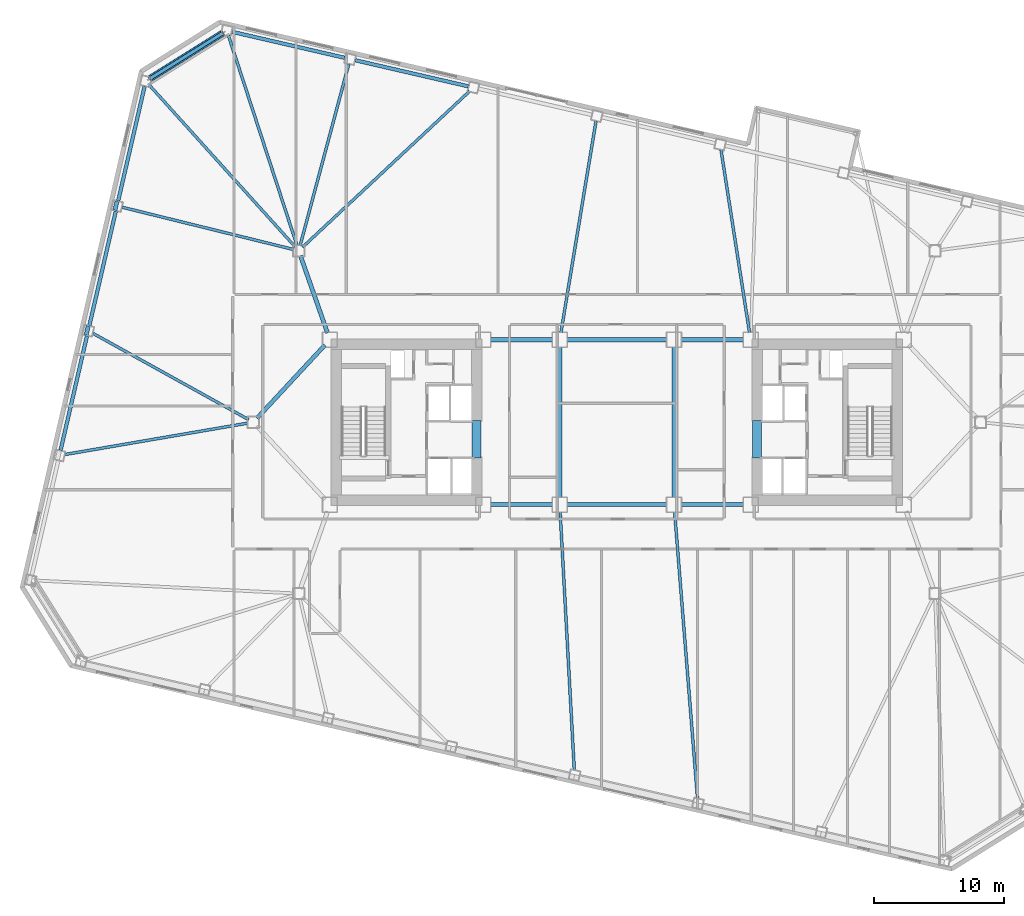
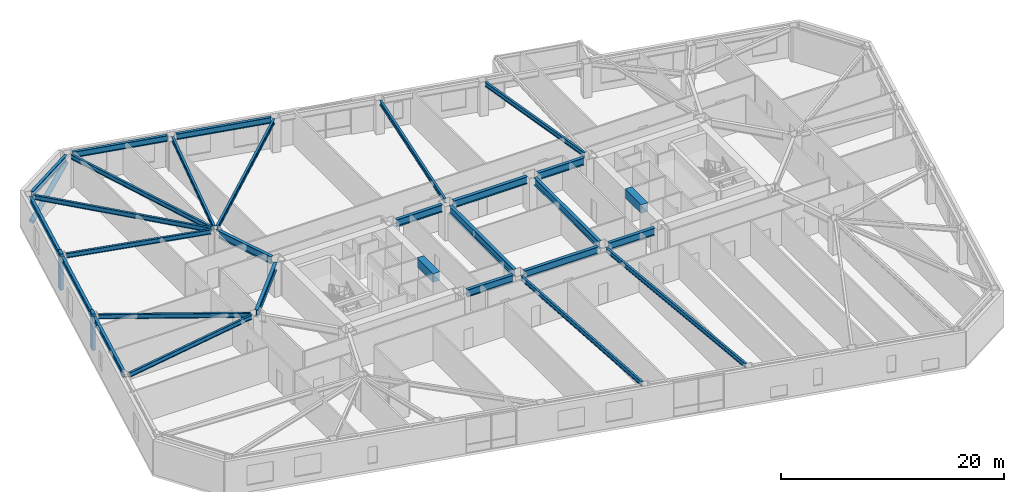
# One storey, part 7 of 21: 29 beams, 3 members.
"""IFC4 building model written with IfcOpenShell, lengths in metres."""

from ifc_helpers import new_model, si_unit, direction, frame, origin, origin_2d, place, context, subcontext, project, spatial, rectangle, hollow_circle, i_section, extrude, material, material_profile, profile_set, type_object, element, save


model = new_model("IFC4")

# Units and contexts
model_context = context("Model", 3, precision=1e-05, world=origin(), true_north=direction((0.0, 1.0)))
body_context = subcontext(model_context, "Body", "Model", "MODEL_VIEW")
ifc_project = project(units=[si_unit("LENGTHUNIT", "METRE"), si_unit("AREAUNIT", "SQUARE_METRE"), si_unit("VOLUMEUNIT", "CUBIC_METRE"), si_unit("PLANEANGLEUNIT", "RADIAN"), si_unit("MASSUNIT", "GRAM", prefix="KILO")], contexts=[model_context])

# Site, building, storey
site_placement = place(None, origin())
site = spatial("IfcSite", under=ifc_project, at=site_placement, CompositionType="ELEMENT")
building_placement = place(site_placement, origin())
building = spatial("IfcBuilding", under=site, at=building_placement, Name="Tavrogorsk Clinical Tower", CompositionType="ELEMENT")
storey_placement = place(building_placement, frame((0.0, 0.0, 71.39990234375)))
storey = spatial("IfcBuildingStorey", under=building, at=storey_placement, Name="L15", CompositionType="ELEMENT", Elevation=71.39990234375)

# Beams
ifc_material_1 = material(Name="Concrete B80", Category="concrete")
ifc_material_profile_1 = material_profile(ifc_material_1, rectangle(XDim=0.699951171875, YDim=0.949951171875, at=origin_2d()), Name="RC-CB-700x950")
ifc_profile_set_1 = profile_set([ifc_material_profile_1], Name="Concrete B80")
beam_type_1 = type_object("IfcBeamType", Name="CouplingBeam_RC700x950", PredefinedType="LINTEL", material=ifc_profile_set_1)
for number, where, z_axis, x_axis, name in (
    (1, (-10.800048828125, -2.75, 3.26513671875), (0.0, 1.0, 0.0), (-1.0, 0.0, 0.0), "L15 Core West Coupling Beam"),
    (2, (10.800048828125, -2.75, 3.26513671875), (0.0, 1.0, 0.0), (-1.0, 0.0, 0.0), "L15 Core East Coupling Beam"),
):
    element("IfcBeam", number, at=place(storey_placement, frame(where, z_axis=z_axis, x_axis=x_axis)), inside=storey, type_object=beam_type_1, Name=name, PredefinedType="LINTEL", context=body_context, shape_type="SweptSolid", body=[
        extrude(rectangle(XDim=0.699951171875, YDim=0.949951171875, at=origin_2d()), origin(), (0.0, 0.0, 1.0), 2.89990234375),
    ])

# Member
ifc_material_2 = material(Name="Structural steel S440", Category="steel")
ifc_material_profile_2 = material_profile(ifc_material_2, hollow_circle(Radius=0.25390625, WallThickness=0.02001953125, at=origin_2d()), Name="CHS-508x20")
ifc_profile_set_2 = profile_set([ifc_material_profile_2], Name="Structural steel S440")
member_type_1 = type_object("IfcMemberType", Name="ExoBrace_CHS508", PredefinedType="BRACE", material=ifc_profile_set_2)
member_placement = place(storey_placement, frame((-35.951904296875, 26.46240234375, 0.442626953125), z_axis=(0.794678685861, 0.496570017703, 0.349147538667), x_axis=(-0.529919005048, 0.848048258113, 0.0)))
element("IfcMember", 3, at=member_placement, inside=storey, type_object=member_type_1, Name="L15 Corner Exoskeleton Brace N8-W1", PredefinedType="BRACE", context=body_context, shape_type="SweptSolid", body=[
    extrude(hollow_circle(Radius=0.25390625, WallThickness=0.02001953125, at=origin_2d()), origin(), (0.0, 0.0, 1.0), 7.03173828125),
])

# Beams
ifc_material_3 = material(Name="Structural steel S355", Category="steel")
ifc_material_profile_3 = material_profile(ifc_material_3, i_section(OverallWidth=0.219970703125, OverallDepth=0.5, WebThickness=0.012939453125, FlangeThickness=0.02001953125, at=origin_2d()), Name="B-500x220x13x20")
ifc_profile_set_3 = profile_set([ifc_material_profile_3], Name="Structural steel S355")
beam_type_2 = type_object("IfcBeamType", Name="FloorBeam_B500", PredefinedType="BEAM", material=ifc_profile_set_3)
beam_1_placement = place(storey_placement, frame((-4.369384765625, -6.9091796875, 3.489990234375), z_axis=(0.054826938013, -0.998495872234, 0.0), x_axis=(0.998495872234, 0.054826938013, 0.0)))
element("IfcBeam", 4, at=beam_1_placement, inside=storey, type_object=beam_type_2, Name="L15 Radial Floor Beam S5", PredefinedType="BEAM", context=body_context, shape_type="SweptSolid", body=[
    extrude(i_section(OverallWidth=0.219970703125, OverallDepth=0.5, WebThickness=0.012939453125, FlangeThickness=0.02001953125, at=origin_2d()), origin(), (0.0, 0.0, 1.0), 19.891357421875),
])
beam_2_placement = place(storey_placement, frame((4.444580078125, -6.908203125, 3.489990234375), z_axis=(0.079775043579, -0.996812892384, 0.0), x_axis=(0.996812892384, 0.079775043579, 0.0)))
element("IfcBeam", 5, at=beam_2_placement, inside=storey, type_object=beam_type_2, Name="L15 Radial Floor Beam S6", PredefinedType="BEAM", context=body_context, shape_type="SweptSolid", body=[
    extrude(i_section(OverallWidth=0.219970703125, OverallDepth=0.5, WebThickness=0.012939453125, FlangeThickness=0.02001953125, at=origin_2d()), origin(), (0.0, 0.0, 1.0), 22.12646484375),
])
beam_3_placement = place(storey_placement, frame((10.213623046875, 6.9033203125, 3.489990234375), z_axis=(-0.154089917001, 0.988056829073, 0.0), x_axis=(-0.988056829073, -0.154089917001, 0.0)))
element("IfcBeam", 6, at=beam_3_placement, inside=storey, type_object=beam_type_2, Name="L15 Radial Floor Beam N4", PredefinedType="BEAM", context=body_context, shape_type="SweptSolid", body=[
    extrude(i_section(OverallWidth=0.219970703125, OverallDepth=0.5, WebThickness=0.012939453125, FlangeThickness=0.02001953125, at=origin_2d()), origin(), (0.0, 0.0, 1.0), 14.24853515625),
])
beam_4_placement = place(storey_placement, frame((-4.308349609375, 6.90234375, 3.489990234375), z_axis=(0.163563683006, 0.986532777763, 0.0), x_axis=(-0.986532777763, 0.163563683006, 0.0)))
element("IfcBeam", 7, at=beam_4_placement, inside=storey, type_object=beam_type_2, Name="L15 Radial Floor Beam N5", PredefinedType="BEAM", context=body_context, shape_type="SweptSolid", body=[
    extrude(i_section(OverallWidth=0.219970703125, OverallDepth=0.5, WebThickness=0.012939453125, FlangeThickness=0.02001953125, at=origin_2d()), origin(), (0.0, 0.0, 1.0), 16.4951171875),
])
beam_5_placement = place(storey_placement, frame((-24.200439453125, 13.47998046875, 3.489990234375), z_axis=(0.730781163302, 0.682611816015, 0.0), x_axis=(-0.682611816015, 0.730781163302, 0.0)))
element("IfcBeam", 8, at=beam_5_placement, inside=storey, type_object=beam_type_2, Name="L15 Radial Floor Beam N6", PredefinedType="BEAM", context=body_context, shape_type="SweptSolid", body=[
    extrude(i_section(OverallWidth=0.219970703125, OverallDepth=0.5, WebThickness=0.012939453125, FlangeThickness=0.02001953125, at=origin_2d()), origin(), (0.0, 0.0, 1.0), 17.597412109375),
])
beam_6_placement = place(storey_placement, frame((-24.393798828125, 13.595947265625, 3.489990234375), z_axis=(0.25900262632, 0.965876617151, 0.0), x_axis=(-0.965876617151, 0.25900262632, 0.0)))
element("IfcBeam", 9, at=beam_6_placement, inside=storey, type_object=beam_type_2, Name="L15 Radial Floor Beam N7", PredefinedType="BEAM", context=body_context, shape_type="SweptSolid", body=[
    extrude(i_section(OverallWidth=0.219970703125, OverallDepth=0.5, WebThickness=0.012939453125, FlangeThickness=0.02001953125, at=origin_2d()), origin(), (0.0, 0.0, 1.0), 14.46728515625),
])
beam_7_placement = place(storey_placement, frame((-24.62744140625, 13.58984375, 3.489990234375), z_axis=(-0.310546210819, 0.950558283824, 0.0), x_axis=(-0.950558283824, -0.310546210819, 0.0)))
element("IfcBeam", 10, at=beam_7_placement, inside=storey, type_object=beam_type_2, Name="L15 Radial Floor Beam N8", PredefinedType="BEAM", context=body_context, shape_type="SweptSolid", body=[
    extrude(i_section(OverallWidth=0.219970703125, OverallDepth=0.5, WebThickness=0.012939453125, FlangeThickness=0.02001953125, at=origin_2d()), origin(), (0.0, 0.0, 1.0), 17.0205078125),
])
beam_8_placement = place(storey_placement, frame((-24.774658203125, 13.50439453125, 3.489990234375), z_axis=(-0.669660294237, 0.742667550337, 0.0), x_axis=(-0.742667550337, -0.669660294237, 0.0)))
element("IfcBeam", 11, at=beam_8_placement, inside=storey, type_object=beam_type_2, Name="L15 Radial Floor Beam W1", PredefinedType="BEAM", context=body_context, shape_type="SweptSolid", body=[
    extrude(i_section(OverallWidth=0.219970703125, OverallDepth=0.5, WebThickness=0.012939453125, FlangeThickness=0.02001953125, at=origin_2d()), origin(), (0.0, 0.0, 1.0), 16.76708984375),
])
beam_9_placement = place(storey_placement, frame((-24.89794921875, 13.298095703125, 3.489990234375), z_axis=(-0.970889910259, 0.23952616174, 0.0), x_axis=(-0.23952616174, -0.970889910259, 0.0)))
element("IfcBeam", 12, at=beam_9_placement, inside=storey, type_object=beam_type_2, Name="L15 Radial Floor Beam W2", PredefinedType="BEAM", context=body_context, shape_type="SweptSolid", body=[
    extrude(i_section(OverallWidth=0.219970703125, OverallDepth=0.5, WebThickness=0.012939453125, FlangeThickness=0.02001953125, at=origin_2d()), origin(), (0.0, 0.0, 1.0), 13.595947265625),
])
beam_10_placement = place(storey_placement, frame((-28.358642578125, 0.19873046875, 3.489990234375), z_axis=(-0.874654711976, 0.484746464472, 0.0), x_axis=(-0.484746464472, -0.874654711976, 0.0)))
element("IfcBeam", 13, at=beam_10_placement, inside=storey, type_object=beam_type_2, Name="L15 Radial Floor Beam W3", PredefinedType="BEAM", context=body_context, shape_type="SweptSolid", body=[
    extrude(i_section(OverallWidth=0.219970703125, OverallDepth=0.5, WebThickness=0.012939453125, FlangeThickness=0.02001953125, at=origin_2d()), origin(), (0.0, 0.0, 1.0), 13.7158203125),
])
beam_11_placement = place(storey_placement, frame((-28.404052734375, -0.0693359375, 3.489990234375), z_axis=(-0.985592408786, -0.169137824698, 0.0), x_axis=(0.169137824698, -0.985592408786, 0.0)))
element("IfcBeam", 14, at=beam_11_placement, inside=storey, type_object=beam_type_2, Name="L15 Radial Floor Beam W4", PredefinedType="BEAM", context=body_context, shape_type="SweptSolid", body=[
    extrude(i_section(OverallWidth=0.219970703125, OverallDepth=0.5, WebThickness=0.012939453125, FlangeThickness=0.02001953125, at=origin_2d()), origin(), (0.0, 0.0, 1.0), 14.33056640625),
])

# Members
ifc_material_4 = material(Name="Precast concrete B45 with limestone cladding", Category="masonry")
ifc_material_profile_4 = material_profile(ifc_material_4, rectangle(XDim=0.320068359375, YDim=0.719970703125, at=origin_2d()), Name="LIMESTONE-FIN-320x720")
ifc_profile_set_4 = profile_set([ifc_material_profile_4], Name="Precast concrete B45 with limestone cladding")
member_type_2 = type_object("IfcMemberType", Name="LimestonePleatFin_320x720", PredefinedType="USERDEFINED", material=ifc_profile_set_4)
for number, where, z_axis, x_axis, name in (
    (15, (-38.572265625, 16.67041015625, 0.0), (0.0, 0.0, 1.0), (0.974370064785, -0.224951054344, 0.0), "L15 W Pleated Stone Fin 1"),
    (16, (-40.7900390625, 7.06298828125, 0.0), (0.0, 0.0, 1.0), (0.974370064785, -0.224951054344, 0.0), "L15 W Pleated Stone Fin 2"),
):
    element("IfcMember", number, at=place(storey_placement, frame(where, z_axis=z_axis, x_axis=x_axis)), inside=storey, type_object=member_type_2, Name=name, ObjectType="FIN", PredefinedType="USERDEFINED", context=body_context, shape_type="SweptSolid", body=[
        extrude(rectangle(XDim=0.320068359375, YDim=0.719970703125, at=origin_2d()), origin(), (0.0, 0.0, 1.0), 4.0),
    ])

# Beams
ifc_material_5 = material(Name="Structural steel S390", Category="steel")
ifc_material_profile_5 = material_profile(ifc_material_5, i_section(OverallWidth=0.320068359375, OverallDepth=0.800048828125, WebThickness=0.02001953125, FlangeThickness=0.033935546875, at=origin_2d()), Name="B-800x320x20x34")
ifc_profile_set_5 = profile_set([ifc_material_profile_5], Name="Structural steel S390")
beam_type_3 = type_object("IfcBeamType", Name="PrimaryGirder_B800", PredefinedType="USERDEFINED", material=ifc_profile_set_5)
for number, where, z_axis, x_axis, name in (
    (17, (-9.739990234375, -6.35009765625, 3.340087890625), (1.0, 0.0, 0.0), (0.0, 1.0, 0.0), "L15 Primary Spine Girder MG-01"),
    (18, (-9.739990234375, 6.35009765625, 3.340087890625), (1.0, 0.0, 0.0), (0.0, 1.0, 0.0), "L15 Primary Spine Girder MG-02"),
):
    element("IfcBeam", number, at=place(storey_placement, frame(where, z_axis=z_axis, x_axis=x_axis)), inside=storey, type_object=beam_type_3, Name=name, ObjectType="GIRDER", PredefinedType="USERDEFINED", context=body_context, shape_type="SweptSolid", body=[
        extrude(i_section(OverallWidth=0.320068359375, OverallDepth=0.800048828125, WebThickness=0.02001953125, FlangeThickness=0.033935546875, at=origin_2d()), origin(), (0.0, 0.0, 1.0), 4.780029296875),
    ])
for number, where, z_axis, x_axis, name in (
    (19, (-3.840087890625, -6.35009765625, 3.340087890625), (1.0, 0.0, 0.0), (0.0, 1.0, 0.0), "L15 Primary Spine Girder MG-03"),
    (20, (-3.840087890625, 6.35009765625, 3.340087890625), (1.0, 0.0, 0.0), (0.0, 1.0, 0.0), "L15 Primary Spine Girder MG-04"),
):
    element("IfcBeam", number, at=place(storey_placement, frame(where, z_axis=z_axis, x_axis=x_axis)), inside=storey, type_object=beam_type_3, Name=name, ObjectType="GIRDER", PredefinedType="USERDEFINED", context=body_context, shape_type="SweptSolid", body=[
        extrude(i_section(OverallWidth=0.320068359375, OverallDepth=0.800048828125, WebThickness=0.02001953125, FlangeThickness=0.033935546875, at=origin_2d()), origin(), (0.0, 0.0, 1.0), 7.68017578125),
    ])
for number, where, z_axis, x_axis, name in (
    (21, (4.9599609375, -6.35009765625, 3.340087890625), (1.0, 0.0, 0.0), (0.0, 1.0, 0.0), "L15 Primary Spine Girder MG-05"),
    (22, (4.9599609375, 6.35009765625, 3.340087890625), (1.0, 0.0, 0.0), (0.0, 1.0, 0.0), "L15 Primary Spine Girder MG-06"),
):
    element("IfcBeam", number, at=place(storey_placement, frame(where, z_axis=z_axis, x_axis=x_axis)), inside=storey, type_object=beam_type_3, Name=name, ObjectType="GIRDER", PredefinedType="USERDEFINED", context=body_context, shape_type="SweptSolid", body=[
        extrude(i_section(OverallWidth=0.320068359375, OverallDepth=0.800048828125, WebThickness=0.02001953125, FlangeThickness=0.033935546875, at=origin_2d()), origin(), (0.0, 0.0, 1.0), 4.780029296875),
    ])
for number, where, z_axis, x_axis, name in (
    (23, (-4.39990234375, -5.7900390625, 3.340087890625), (0.0, 1.0, 0.0), (-1.0, 0.0, 0.0), "L15 Primary Spine Girder MG-07"),
    (24, (4.39990234375, -5.7900390625, 3.340087890625), (0.0, 1.0, 0.0), (-1.0, 0.0, 0.0), "L15 Primary Spine Girder MG-08"),
):
    element("IfcBeam", number, at=place(storey_placement, frame(where, z_axis=z_axis, x_axis=x_axis)), inside=storey, type_object=beam_type_3, Name=name, ObjectType="GIRDER", PredefinedType="USERDEFINED", context=body_context, shape_type="SweptSolid", body=[
        extrude(i_section(OverallWidth=0.320068359375, OverallDepth=0.800048828125, WebThickness=0.02001953125, FlangeThickness=0.033935546875, at=origin_2d()), origin(), (0.0, 0.0, 1.0), 11.580078125),
    ])
beam_12_placement = place(storey_placement, frame((-24.364501953125, 12.81298828125, 3.340087890625), z_axis=(0.330668611543, -0.943746930771, 0.0), x_axis=(0.943746930771, 0.330668611543, 0.0)))
element("IfcBeam", 25, at=beam_12_placement, inside=storey, type_object=beam_type_3, Name="L15 Spine Link Girder OPG-3", ObjectType="GIRDER", PredefinedType="USERDEFINED", context=body_context, shape_type="SweptSolid", body=[
    extrude(i_section(OverallWidth=0.320068359375, OverallDepth=0.800048828125, WebThickness=0.02001953125, FlangeThickness=0.033935546875, at=origin_2d()), origin(), (0.0, 0.0, 1.0), 6.288330078125),
])
beam_13_placement = place(storey_placement, frame((-27.720947265625, 0.30029296875, 3.340087890625), z_axis=(0.680671250221, 0.732589004233, 0.0), x_axis=(-0.732589004233, 0.680671250221, 0.0)))
element("IfcBeam", 26, at=beam_13_placement, inside=storey, type_object=beam_type_3, Name="L15 Spine Link Girder OPG-6", ObjectType="GIRDER", PredefinedType="USERDEFINED", context=body_context, shape_type="SweptSolid", body=[
    extrude(i_section(OverallWidth=0.320068359375, OverallDepth=0.800048828125, WebThickness=0.02001953125, FlangeThickness=0.033935546875, at=origin_2d()), origin(), (0.0, 0.0, 1.0), 7.697998046875),
])
ifc_material_6 = material(Name="Structural steel S390", Category="steel")
ifc_material_profile_6 = material_profile(ifc_material_6, i_section(OverallWidth=0.280029296875, OverallDepth=0.64990234375, WebThickness=0.01611328125, FlangeThickness=0.02490234375, at=origin_2d()), Name="B-650x280x16x25")
ifc_profile_set_6 = profile_set([ifc_material_profile_6], Name="Structural steel S390")
beam_type_4 = type_object("IfcBeamType", Name="SpandrelBeam_B650", PredefinedType="SPANDREL", material=ifc_profile_set_6)
for number, where, z_axis, x_axis, name in (
    (27, (-11.43994140625, 25.862548828125, 3.4150390625), (-0.974372766602, 0.224939351168, 0.0), (-0.224939351168, -0.974372766602, 0.0), "L15 Perimeter Spandrel N6-N7"),
    (28, (-20.9384765625, 28.055419921875, 3.4150390625), (-0.974366775889, 0.224965299645, 0.0), (-0.224965299645, -0.974366775889, 0.0), "L15 Perimeter Spandrel N7-N8"),
):
    element("IfcBeam", number, at=place(storey_placement, frame(where, z_axis=z_axis, x_axis=x_axis)), inside=storey, type_object=beam_type_4, Name=name, PredefinedType="SPANDREL", context=body_context, shape_type="SweptSolid", body=[
        extrude(i_section(OverallWidth=0.280029296875, OverallDepth=0.64990234375, WebThickness=0.01611328125, FlangeThickness=0.02490234375, at=origin_2d()), origin(), (0.0, 0.0, 1.0), 8.9326171875),
    ])
beam_14_placement = place(storey_placement, frame((-30.3857421875, 29.9404296875, 3.4150390625), z_axis=(-0.848044454239, -0.529925092475, 0.0), x_axis=(0.529925092475, -0.848044454239, 0.0)))
element("IfcBeam", 29, at=beam_14_placement, inside=storey, type_object=beam_type_4, Name="L15 Perimeter Spandrel N8-W1", PredefinedType="SPANDREL", context=body_context, shape_type="SweptSolid", body=[
    extrude(i_section(OverallWidth=0.280029296875, OverallDepth=0.64990234375, WebThickness=0.01611328125, FlangeThickness=0.02490234375, at=origin_2d()), origin(), (0.0, 0.0, 1.0), 6.537841796875),
])
beam_15_placement = place(storey_placement, frame((-36.367919921875, 25.862060546875, 3.4150390625), z_axis=(-0.224952169462, -0.974369807339, 0.0), x_axis=(0.974369807339, -0.224952169462, 0.0)))
element("IfcBeam", 30, at=beam_15_placement, inside=storey, type_object=beam_type_4, Name="L15 Perimeter Spandrel W1-W2", PredefinedType="SPANDREL", context=body_context, shape_type="SweptSolid", body=[
    extrude(i_section(OverallWidth=0.280029296875, OverallDepth=0.64990234375, WebThickness=0.01611328125, FlangeThickness=0.02490234375, at=origin_2d()), origin(), (0.0, 0.0, 1.0), 9.043701171875),
])
beam_16_placement = place(storey_placement, frame((-38.5859375, 16.2548828125, 3.4150390625), z_axis=(-0.224946252597, -0.974371173343, 0.0), x_axis=(0.974371173343, -0.224946252597, 0.0)))
element("IfcBeam", 31, at=beam_16_placement, inside=storey, type_object=beam_type_4, Name="L15 Perimeter Spandrel W2-W3", PredefinedType="SPANDREL", context=body_context, shape_type="SweptSolid", body=[
    extrude(i_section(OverallWidth=0.280029296875, OverallDepth=0.64990234375, WebThickness=0.01611328125, FlangeThickness=0.02490234375, at=origin_2d()), origin(), (0.0, 0.0, 1.0), 9.0439453125),
])
beam_17_placement = place(storey_placement, frame((-40.803955078125, 6.6474609375, 3.4150390625), z_axis=(-0.224952169462, -0.974369807339, 0.0), x_axis=(0.974369807339, -0.224952169462, 0.0)))
element("IfcBeam", 32, at=beam_17_placement, inside=storey, type_object=beam_type_4, Name="L15 Perimeter Spandrel W3-W4", PredefinedType="SPANDREL", context=body_context, shape_type="SweptSolid", body=[
    extrude(i_section(OverallWidth=0.280029296875, OverallDepth=0.64990234375, WebThickness=0.01611328125, FlangeThickness=0.02490234375, at=origin_2d()), origin(), (0.0, 0.0, 1.0), 9.043701171875),
])

save(model, "model.ifc")
